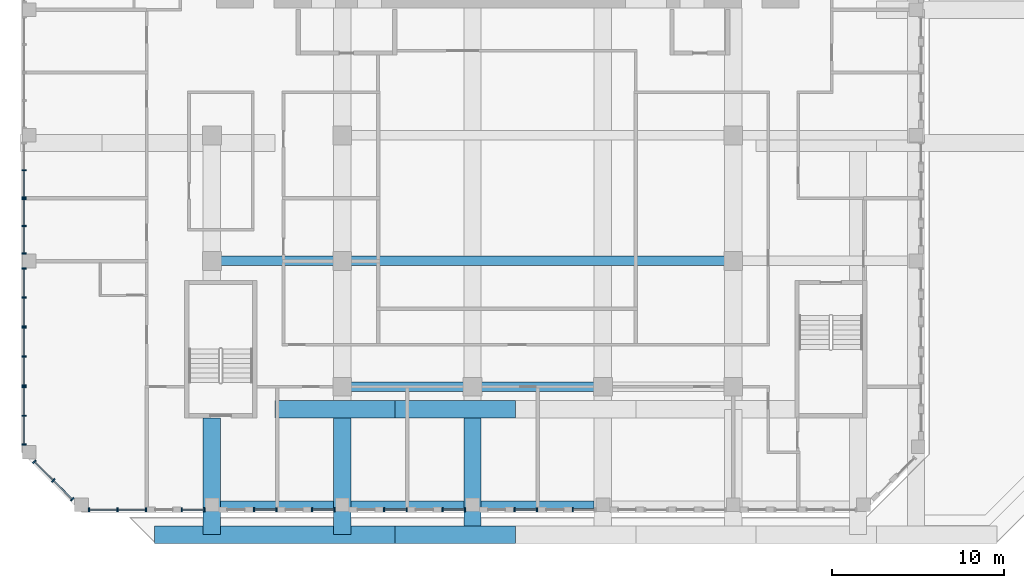
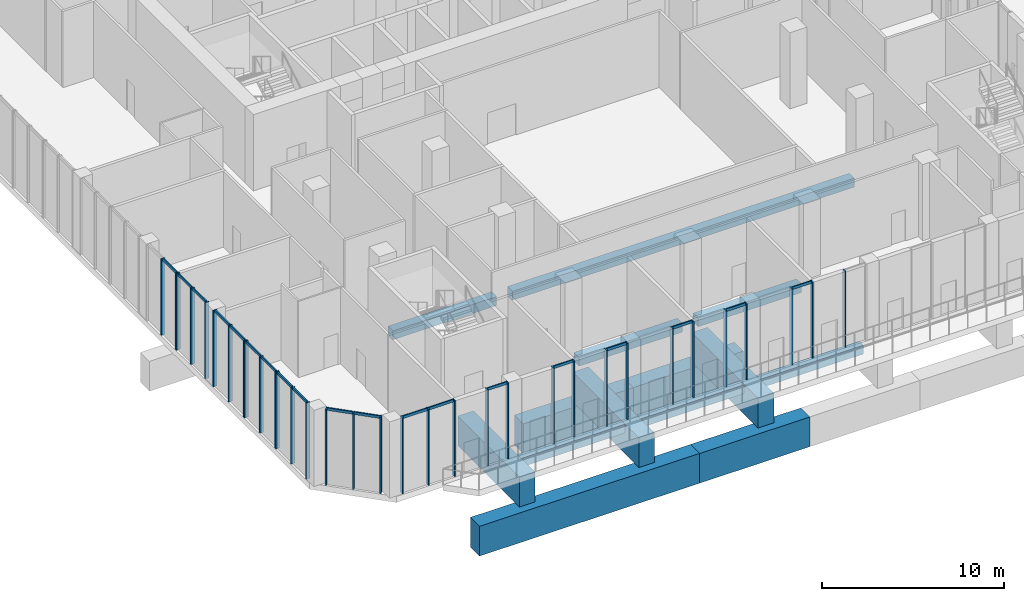
# One storey, part 2 of 19: 52 members, 14 beams, 14 elements without a shape of their own.
"""IFC4 building model written with IfcOpenShell, lengths in metres."""

from ifc_helpers import new_model, si_unit, direction, frame, origin, origin_2d, place, context, subcontext, project, spatial, rectangle, extrude, source, transform, mapped, material, material_profile, profile_set, type_object, element, aggregate, save


model = new_model("IFC4")

# Units and contexts
model_context = context("Model", 3, precision=1e-05, world=origin(), true_north=direction((0.0, 1.0)))
body_context = subcontext(model_context, "Body", "Model", "MODEL_VIEW")
ifc_project = project(units=[si_unit("LENGTHUNIT", "METRE"), si_unit("AREAUNIT", "SQUARE_METRE"), si_unit("VOLUMEUNIT", "CUBIC_METRE"), si_unit("PLANEANGLEUNIT", "RADIAN"), si_unit("MASSUNIT", "GRAM", prefix="KILO")], contexts=[model_context])

# Site, building, storey
site_placement = place(None, origin())
site = spatial("IfcSite", under=ifc_project, at=site_placement, CompositionType="ELEMENT")
building_placement = place(site_placement, origin())
building = spatial("IfcBuilding", under=site, at=building_placement, Name="Kilnfold Tower and Market Hall", CompositionType="ELEMENT")
storey_placement = place(building_placement, frame((0.0, 0.0, 138.5)))
storey = spatial("IfcBuildingStorey", under=building, at=storey_placement, Name="L31", CompositionType="ELEMENT", Elevation=138.5)

# Beams
ifc_material_1 = material(Name="Concrete C60", Category="concrete")
ifc_material_profile_1 = material_profile(ifc_material_1, rectangle(XDim=1.0, YDim=2.0, at=origin_2d()), Name="RC 1000x2000")
ifc_profile_set_1 = profile_set([ifc_material_profile_1], Name="Concrete C60")
beam_type_1 = type_object("IfcBeamType", Name="TRANSFER GIRDER 1000X2000 C60", PredefinedType="BEAM", material=ifc_profile_set_1)
shared_shape_1 = source(origin(), body_context, "Body", "SweptSolid", [
    extrude(rectangle(XDim=1.0, YDim=2.0, at=origin_2d()), origin(), (0.0, 0.0, 1.0), 14.0),
])
beam_1_placement = place(storey_placement, frame((-19.5, -22.550048828125, -3.39990234375), z_axis=(1.0, 0.0, 0.0), x_axis=(0.0, 1.0, 0.0)))
element("IfcBeam", 1, at=beam_1_placement, inside=storey, type_object=beam_type_1, Name="Beam TG2000-B4.4", PredefinedType="BEAM", context=body_context, shape_type="MappedRepresentation", body=[
    mapped(shared_shape_1, transform((0.0, 0.0, 0.0))),
])
shared_shape_2 = source(origin(), body_context, "Body", "SweptSolid", [
    extrude(rectangle(XDim=1.0, YDim=2.0, at=origin_2d()), origin(), (0.0, 0.0, 1.0), 7.0),
])
for number, where, z_axis, x_axis, name in (
    (2, (-12.5, -15.25, -3.39990234375), (1.0, 0.0, 0.0), (0.0, 1.0, 0.0), "Beam TG2000-B4.6"),
    (3, (-5.5, -22.550048828125, -3.39990234375), (1.0, 0.0, 0.0), (0.0, 1.0, 0.0), "Beam TG2000-B4.8"),
    (4, (-5.5, -15.25, -3.39990234375), (1.0, 0.0, 0.0), (0.0, 1.0, 0.0), "Beam TG2000-B4.9"),
):
    element("IfcBeam", number, at=place(storey_placement, frame(where, z_axis=z_axis, x_axis=x_axis)), inside=storey, type_object=beam_type_1, Name=name, PredefinedType="BEAM", context=body_context, shape_type="MappedRepresentation", body=[
        mapped(shared_shape_2, transform((0.0, 0.0, 0.0))),
    ])
shared_shape_3 = source(origin(), body_context, "Body", "SweptSolid", [
    extrude(rectangle(XDim=1.0, YDim=2.0, at=origin_2d()), origin(), (0.0, 0.0, 1.0), 6.800048828125),
])
beam_2_placement = place(storey_placement, frame((-16.169921875, -22.550048828125, -1.39990234375), z_axis=(0.0, 1.0, 0.0), x_axis=(-1.0, 0.0, 0.0)))
element("IfcBeam", 5, at=beam_2_placement, inside=storey, type_object=beam_type_1, Name="Beam TG2000-B4.28", PredefinedType="BEAM", context=body_context, shape_type="MappedRepresentation", body=[
    mapped(shared_shape_3, transform((0.0, 0.0, 0.0))),
])
shared_shape_4 = source(origin(), body_context, "Body", "SweptSolid", [
    extrude(rectangle(XDim=1.0, YDim=2.0, at=origin_2d()), origin(), (0.0, 0.0, 1.0), 7.300048828125),
])
for number, where, z_axis, x_axis, name in (
    (6, (-8.580078125, -22.550048828125, -1.39990234375), (0.0, 1.0, 0.0), (-1.0, 0.0, 0.0), "Beam TG2000-B4.31"),
    (7, (-1.0, -22.550048828125, -1.39990234375), (0.0, 1.0, 0.0), (-1.0, 0.0, 0.0), "Beam TG2000-B4.35"),
):
    element("IfcBeam", number, at=place(storey_placement, frame(where, z_axis=z_axis, x_axis=x_axis)), inside=storey, type_object=beam_type_1, Name=name, PredefinedType="BEAM", context=body_context, shape_type="MappedRepresentation", body=[
        mapped(shared_shape_4, transform((0.0, 0.0, 0.0))),
    ])
ifc_material_2 = material(Name="Concrete C45", Category="concrete")
ifc_material_profile_2 = material_profile(ifc_material_2, rectangle(XDim=0.449951171875, YDim=0.60009765625, at=origin_2d()), Name="RC 450x600")
ifc_profile_set_2 = profile_set([ifc_material_profile_2], Name="Concrete C45")
beam_type_2 = type_object("IfcBeamType", Name="EDGE BEAM 450X600 C45", PredefinedType="BEAM", material=ifc_profile_set_2)
shared_shape_5 = source(origin(), body_context, "Body", "SweptSolid", [
    extrude(rectangle(XDim=0.449951171875, YDim=0.60009765625, at=origin_2d()), origin(), (0.0, 0.0, 1.0), 6.58984375),
])
beam_3_placement = place(storey_placement, frame((-15.669921875, -20.800048828125, -0.699951171875), z_axis=(1.0, 0.0, 0.0), x_axis=(0.0, 1.0, 0.0)))
element("IfcBeam", 8, at=beam_3_placement, inside=storey, type_object=beam_type_2, Name="Beam EB600-B4.54", PredefinedType="BEAM", context=body_context, shape_type="MappedRepresentation", body=[
    mapped(shared_shape_5, transform((0.0, 0.0, 0.0))),
])
shared_shape_6 = source(origin(), body_context, "Body", "SweptSolid", [
    extrude(rectangle(XDim=0.449951171875, YDim=0.60009765625, at=origin_2d()), origin(), (0.0, 0.0, 1.0), 6.580078125),
])
for number, where, z_axis, x_axis, name in (
    (9, (-8.080078125, -20.800048828125, -0.699951171875), (1.0, 0.0, 0.0), (0.0, 1.0, 0.0), "Beam EB600-B4.55"),
    (10, (-0.5, -20.800048828125, -0.699951171875), (1.0, 0.0, 0.0), (0.0, 1.0, 0.0), "Beam EB600-B4.56"),
):
    element("IfcBeam", number, at=place(storey_placement, frame(where, z_axis=z_axis, x_axis=x_axis)), inside=storey, type_object=beam_type_2, Name=name, PredefinedType="BEAM", context=body_context, shape_type="MappedRepresentation", body=[
        mapped(shared_shape_6, transform((0.0, 0.0, 0.0))),
    ])
ifc_material_3 = material(Name="Concrete C45", Category="concrete")
ifc_material_profile_3 = material_profile(ifc_material_3, rectangle(XDim=0.550048828125, YDim=0.60009765625, at=origin_2d()), Name="RC 550x600")
ifc_profile_set_3 = profile_set([ifc_material_profile_3], Name="Concrete C45")
beam_type_3 = type_object("IfcBeamType", Name="BEAM 550X600 C45", PredefinedType="BEAM", material=ifc_profile_set_3)
shared_shape_7 = source(origin(), body_context, "Body", "SweptSolid", [
    extrude(rectangle(XDim=0.550048828125, YDim=0.60009765625, at=origin_2d()), origin(), (0.0, 0.0, 1.0), 6.580078125),
])
for number, where, z_axis, x_axis, name in (
    (11, (-8.080078125, -13.93994140625, -0.699951171875), (1.0, 0.0, 0.0), (0.0, 1.0, 0.0), "Beam BB600-B4.59"),
    (12, (-0.5, -13.93994140625, -0.699951171875), (1.0, 0.0, 0.0), (0.0, 1.0, 0.0), "Beam BB600-B4.60"),
):
    element("IfcBeam", number, at=place(storey_placement, frame(where, z_axis=z_axis, x_axis=x_axis)), inside=storey, type_object=beam_type_3, Name=name, PredefinedType="BEAM", context=body_context, shape_type="MappedRepresentation", body=[
        mapped(shared_shape_7, transform((0.0, 0.0, 0.0))),
    ])
shared_shape_8 = source(origin(), body_context, "Body", "SweptSolid", [
    extrude(rectangle(XDim=0.550048828125, YDim=0.60009765625, at=origin_2d()), origin(), (0.0, 0.0, 1.0), 6.58984375),
])
beam_4_placement = place(storey_placement, frame((-15.669921875, -6.6201171875, -0.699951171875), z_axis=(1.0, 0.0, 0.0), x_axis=(0.0, 1.0, 0.0)))
element("IfcBeam", 13, at=beam_4_placement, inside=storey, type_object=beam_type_3, Name="Beam BB600-B4.62", PredefinedType="BEAM", context=body_context, shape_type="MappedRepresentation", body=[
    mapped(shared_shape_8, transform((0.0, 0.0, 0.0))),
])
shared_shape_9 = source(origin(), body_context, "Body", "SweptSolid", [
    extrude(rectangle(XDim=0.550048828125, YDim=0.60009765625, at=origin_2d()), origin(), (0.0, 0.0, 1.0), 21.75),
])
beam_5_placement = place(storey_placement, frame((-8.080078125, -6.6201171875, -0.699951171875), z_axis=(1.0, 0.0, 0.0), x_axis=(0.0, 1.0, 0.0)))
element("IfcBeam", 14, at=beam_5_placement, inside=storey, type_object=beam_type_3, Name="Beam BB600-B4.63", PredefinedType="BEAM", context=body_context, shape_type="MappedRepresentation", body=[
    mapped(shared_shape_9, transform((0.0, 0.0, 0.0))),
])

# Curtain wall, members
ifc_material_4 = material(Name="Aluminium and double glazing", Category="aluminium")
curtain_wall_type = type_object("IfcCurtainWallType", Name="CW SKY LOBBY GLAZING", PredefinedType="NOTDEFINED", material=ifc_material_4)
curtain_wall_1_placement = place(storey_placement, origin())
curtain_wall_1 = element("IfcCurtainWall", 15, at=curtain_wall_1_placement, inside=storey, type_object=curtain_wall_type, Name="Curtain wall CW3 L31 S", PredefinedType="NOTDEFINED")
ifc_material_5 = material(Name="Aluminium", Category="aluminium")
ifc_material_profile_4 = material_profile(ifc_material_5, rectangle(XDim=0.080078125, YDim=0.25, at=origin_2d()), Name="MULLION 80x250")
ifc_profile_set_4 = profile_set([ifc_material_profile_4], Name="Aluminium")
member_type_1 = type_object("IfcMemberType", Name="MULLION 80X250", PredefinedType="MULLION", material=ifc_profile_set_4)
shared_shape_10 = source(origin(), body_context, "Body", "SweptSolid", [
    extrude(rectangle(XDim=0.080078125, YDim=0.25, at=origin_2d()), origin(), (0.0, 0.0, 1.0), 5.1201171875),
])
member_1_placement = place(storey_placement, frame((-23.31005859375, -21.10009765625, 0.0), z_axis=(0.0, 0.0, 1.0), x_axis=(1.0, 0.0, 0.0)))
member_1 = element("IfcMember", 16, at=member_1_placement, type_object=member_type_1, Name="CW3 mullion 1", PredefinedType="MULLION", context=body_context, shape_type="MappedRepresentation", body=[
    mapped(shared_shape_10, transform((0.0, 0.0, 0.0))),
])
member_2_placement = place(storey_placement, frame((-21.654296875, -21.10009765625, 0.0), z_axis=(0.0, 0.0, 1.0), x_axis=(1.0, 0.0, 0.0)))
member_2 = element("IfcMember", 17, at=member_2_placement, type_object=member_type_1, Name="CW3 mullion 2", PredefinedType="MULLION", context=body_context, shape_type="MappedRepresentation", body=[
    mapped(shared_shape_10, transform((0.0, 0.0, 0.0))),
])
member_3_placement = place(storey_placement, frame((-19.998291015625, -21.10009765625, 0.0), z_axis=(0.0, 0.0, 1.0), x_axis=(1.0, 0.0, 0.0)))
member_3 = element("IfcMember", 18, at=member_3_placement, type_object=member_type_1, Name="CW3 mullion 3", PredefinedType="MULLION", context=body_context, shape_type="MappedRepresentation", body=[
    mapped(shared_shape_10, transform((0.0, 0.0, 0.0))),
])

curtain_wall_2_placement = place(storey_placement, origin())
curtain_wall_2 = element("IfcCurtainWall", 19, at=curtain_wall_2_placement, inside=storey, type_object=curtain_wall_type, Name="Curtain wall CW3 L31 S", PredefinedType="NOTDEFINED")
member_4_placement = place(storey_placement, frame((-17.91845703125, -21.10009765625, 0.0), z_axis=(0.0, 0.0, 1.0), x_axis=(1.0, 0.0, 0.0)))
member_4 = element("IfcMember", 20, at=member_4_placement, type_object=member_type_1, Name="CW3 mullion 1", PredefinedType="MULLION", context=body_context, shape_type="MappedRepresentation", body=[
    mapped(shared_shape_10, transform((0.0, 0.0, 0.0))),
])
member_5_placement = place(storey_placement, frame((-16.606689453125, -21.10009765625, 0.0), z_axis=(0.0, 0.0, 1.0), x_axis=(1.0, 0.0, 0.0)))
member_5 = element("IfcMember", 21, at=member_5_placement, type_object=member_type_1, Name="CW3 mullion 2", PredefinedType="MULLION", context=body_context, shape_type="MappedRepresentation", body=[
    mapped(shared_shape_10, transform((0.0, 0.0, 0.0))),
])

curtain_wall_3_placement = place(storey_placement, origin())
curtain_wall_3 = element("IfcCurtainWall", 22, at=curtain_wall_3_placement, inside=storey, type_object=curtain_wall_type, Name="Curtain wall CW3 L31 S", PredefinedType="NOTDEFINED")
member_6_placement = place(storey_placement, frame((-13.726806640625, -21.10009765625, 0.0), z_axis=(0.0, 0.0, 1.0), x_axis=(1.0, 0.0, 0.0)))
member_6 = element("IfcMember", 23, at=member_6_placement, type_object=member_type_1, Name="CW3 mullion 1", PredefinedType="MULLION", context=body_context, shape_type="MappedRepresentation", body=[
    mapped(shared_shape_10, transform((0.0, 0.0, 0.0))),
])
member_7_placement = place(storey_placement, frame((-12.4150390625, -21.10009765625, 0.0), z_axis=(0.0, 0.0, 1.0), x_axis=(1.0, 0.0, 0.0)))
member_7 = element("IfcMember", 24, at=member_7_placement, type_object=member_type_1, Name="CW3 mullion 2", PredefinedType="MULLION", context=body_context, shape_type="MappedRepresentation", body=[
    mapped(shared_shape_10, transform((0.0, 0.0, 0.0))),
])

curtain_wall_4_placement = place(storey_placement, origin())
curtain_wall_4 = element("IfcCurtainWall", 25, at=curtain_wall_4_placement, inside=storey, type_object=curtain_wall_type, Name="Curtain wall CW3 L31 S", PredefinedType="NOTDEFINED")
member_8_placement = place(storey_placement, frame((-10.3349609375, -21.10009765625, 0.0), z_axis=(0.0, 0.0, 1.0), x_axis=(1.0, 0.0, 0.0)))
member_8 = element("IfcMember", 26, at=member_8_placement, type_object=member_type_1, Name="CW3 mullion 1", PredefinedType="MULLION", context=body_context, shape_type="MappedRepresentation", body=[
    mapped(shared_shape_10, transform((0.0, 0.0, 0.0))),
])
member_9_placement = place(storey_placement, frame((-9.023193359375, -21.10009765625, 0.0), z_axis=(0.0, 0.0, 1.0), x_axis=(1.0, 0.0, 0.0)))
member_9 = element("IfcMember", 27, at=member_9_placement, type_object=member_type_1, Name="CW3 mullion 2", PredefinedType="MULLION", context=body_context, shape_type="MappedRepresentation", body=[
    mapped(shared_shape_10, transform((0.0, 0.0, 0.0))),
])

curtain_wall_5_placement = place(storey_placement, origin())
curtain_wall_5 = element("IfcCurtainWall", 28, at=curtain_wall_5_placement, inside=storey, type_object=curtain_wall_type, Name="Curtain wall CW3 L31 S", PredefinedType="NOTDEFINED")
member_10_placement = place(storey_placement, frame((-6.143310546875, -21.10009765625, 0.0), z_axis=(0.0, 0.0, 1.0), x_axis=(1.0, 0.0, 0.0)))
member_10 = element("IfcMember", 29, at=member_10_placement, type_object=member_type_1, Name="CW3 mullion 1", PredefinedType="MULLION", context=body_context, shape_type="MappedRepresentation", body=[
    mapped(shared_shape_10, transform((0.0, 0.0, 0.0))),
])
member_11_placement = place(storey_placement, frame((-4.83154296875, -21.10009765625, 0.0), z_axis=(0.0, 0.0, 1.0), x_axis=(1.0, 0.0, 0.0)))
member_11 = element("IfcMember", 30, at=member_11_placement, type_object=member_type_1, Name="CW3 mullion 2", PredefinedType="MULLION", context=body_context, shape_type="MappedRepresentation", body=[
    mapped(shared_shape_10, transform((0.0, 0.0, 0.0))),
])

curtain_wall_6_placement = place(storey_placement, origin())
curtain_wall_6 = element("IfcCurtainWall", 31, at=curtain_wall_6_placement, inside=storey, type_object=curtain_wall_type, Name="Curtain wall CW3 L31 S", PredefinedType="NOTDEFINED")
member_12_placement = place(storey_placement, frame((-2.751708984375, -21.10009765625, 0.0), z_axis=(0.0, 0.0, 1.0), x_axis=(1.0, 0.0, 0.0)))
member_12 = element("IfcMember", 32, at=member_12_placement, type_object=member_type_1, Name="CW3 mullion 1", PredefinedType="MULLION", context=body_context, shape_type="MappedRepresentation", body=[
    mapped(shared_shape_10, transform((0.0, 0.0, 0.0))),
])
member_13_placement = place(storey_placement, frame((-1.43994140625, -21.10009765625, 0.0), z_axis=(0.0, 0.0, 1.0), x_axis=(1.0, 0.0, 0.0)))
member_13 = element("IfcMember", 33, at=member_13_placement, type_object=member_type_1, Name="CW3 mullion 2", PredefinedType="MULLION", context=body_context, shape_type="MappedRepresentation", body=[
    mapped(shared_shape_10, transform((0.0, 0.0, 0.0))),
])

curtain_wall_7_placement = place(storey_placement, origin())
curtain_wall_7 = element("IfcCurtainWall", 34, at=curtain_wall_7_placement, inside=storey, type_object=curtain_wall_type, Name="Curtain wall CW3 L31 S", PredefinedType="NOTDEFINED")
member_14_placement = place(storey_placement, frame((1.43994140625, -21.10009765625, 0.0), z_axis=(0.0, 0.0, 1.0), x_axis=(1.0, 0.0, 0.0)))
member_14 = element("IfcMember", 35, at=member_14_placement, type_object=member_type_1, Name="CW3 mullion 1", PredefinedType="MULLION", context=body_context, shape_type="MappedRepresentation", body=[
    mapped(shared_shape_10, transform((0.0, 0.0, 0.0))),
])
member_15_placement = place(storey_placement, frame((2.751708984375, -21.10009765625, 0.0), z_axis=(0.0, 0.0, 1.0), x_axis=(1.0, 0.0, 0.0)))
member_15 = element("IfcMember", 36, at=member_15_placement, type_object=member_type_1, Name="CW3 mullion 2", PredefinedType="MULLION", context=body_context, shape_type="MappedRepresentation", body=[
    mapped(shared_shape_10, transform((0.0, 0.0, 0.0))),
])

# Curtain wall, member
curtain_wall_8_placement = place(storey_placement, origin())
curtain_wall_8 = element("IfcCurtainWall", 37, at=curtain_wall_8_placement, inside=storey, type_object=curtain_wall_type, Name="Curtain wall CW3 L31 S", PredefinedType="NOTDEFINED")
member_16_placement = place(storey_placement, frame((4.83154296875, -21.10009765625, 0.0), z_axis=(0.0, 0.0, 1.0), x_axis=(1.0, 0.0, 0.0)))
member_16 = element("IfcMember", 38, at=member_16_placement, type_object=member_type_1, Name="CW3 mullion 1", PredefinedType="MULLION", context=body_context, shape_type="MappedRepresentation", body=[
    mapped(shared_shape_10, transform((0.0, 0.0, 0.0))),
])
aggregate(curtain_wall_8, [member_16])

# Curtain wall, members
curtain_wall_9_placement = place(storey_placement, origin())
curtain_wall_9 = element("IfcCurtainWall", 39, at=curtain_wall_9_placement, inside=storey, type_object=curtain_wall_type, Name="Curtain wall CW3 L31 W", PredefinedType="NOTDEFINED")
member_17_placement = place(storey_placement, frame((-27.10009765625, -1.340576171875, 0.0), z_axis=(0.0, 0.0, 1.0), x_axis=(0.0, -1.0, 0.0)))
member_17 = element("IfcMember", 40, at=member_17_placement, type_object=member_type_1, Name="CW3 mullion 2", PredefinedType="MULLION", context=body_context, shape_type="MappedRepresentation", body=[
    mapped(shared_shape_10, transform((0.0, 0.0, 0.0))),
])
member_18_placement = place(storey_placement, frame((-27.10009765625, -2.9287109375, 0.0), z_axis=(0.0, 0.0, 1.0), x_axis=(0.0, -1.0, 0.0)))
member_18 = element("IfcMember", 41, at=member_18_placement, type_object=member_type_1, Name="CW3 mullion 3", PredefinedType="MULLION", context=body_context, shape_type="MappedRepresentation", body=[
    mapped(shared_shape_10, transform((0.0, 0.0, 0.0))),
])

curtain_wall_10_placement = place(storey_placement, origin())
curtain_wall_10 = element("IfcCurtainWall", 42, at=curtain_wall_10_placement, inside=storey, type_object=curtain_wall_type, Name="Curtain wall CW3 L31 W", PredefinedType="NOTDEFINED")
member_19_placement = place(storey_placement, frame((-27.10009765625, -3.0087890625, 0.0), z_axis=(0.0, 0.0, 1.0), x_axis=(0.0, -1.0, 0.0)))
member_19 = element("IfcMember", 43, at=member_19_placement, type_object=member_type_1, Name="CW3 mullion 1", PredefinedType="MULLION", context=body_context, shape_type="MappedRepresentation", body=[
    mapped(shared_shape_10, transform((0.0, 0.0, 0.0))),
])
member_20_placement = place(storey_placement, frame((-27.10009765625, -4.596923828125, 0.0), z_axis=(0.0, 0.0, 1.0), x_axis=(0.0, -1.0, 0.0)))
member_20 = element("IfcMember", 44, at=member_20_placement, type_object=member_type_1, Name="CW3 mullion 2", PredefinedType="MULLION", context=body_context, shape_type="MappedRepresentation", body=[
    mapped(shared_shape_10, transform((0.0, 0.0, 0.0))),
])
member_21_placement = place(storey_placement, frame((-27.10009765625, -6.18505859375, 0.0), z_axis=(0.0, 0.0, 1.0), x_axis=(0.0, -1.0, 0.0)))
member_21 = element("IfcMember", 45, at=member_21_placement, type_object=member_type_1, Name="CW3 mullion 3", PredefinedType="MULLION", context=body_context, shape_type="MappedRepresentation", body=[
    mapped(shared_shape_10, transform((0.0, 0.0, 0.0))),
])

curtain_wall_11_placement = place(storey_placement, origin())
curtain_wall_11 = element("IfcCurtainWall", 46, at=curtain_wall_11_placement, inside=storey, type_object=curtain_wall_type, Name="Curtain wall CW3 L31 W", PredefinedType="NOTDEFINED")
member_22_placement = place(storey_placement, frame((-27.10009765625, -7.06494140625, 0.0), z_axis=(0.0, 0.0, 1.0), x_axis=(0.0, -1.0, 0.0)))
member_22 = element("IfcMember", 47, at=member_22_placement, type_object=member_type_1, Name="CW3 mullion 1", PredefinedType="MULLION", context=body_context, shape_type="MappedRepresentation", body=[
    mapped(shared_shape_10, transform((0.0, 0.0, 0.0))),
])
member_23_placement = place(storey_placement, frame((-27.10009765625, -8.745849609375, 0.0), z_axis=(0.0, 0.0, 1.0), x_axis=(0.0, -1.0, 0.0)))
member_23 = element("IfcMember", 48, at=member_23_placement, type_object=member_type_1, Name="CW3 mullion 2", PredefinedType="MULLION", context=body_context, shape_type="MappedRepresentation", body=[
    mapped(shared_shape_10, transform((0.0, 0.0, 0.0))),
])
member_24_placement = place(storey_placement, frame((-27.10009765625, -10.4267578125, 0.0), z_axis=(0.0, 0.0, 1.0), x_axis=(0.0, -1.0, 0.0)))
member_24 = element("IfcMember", 49, at=member_24_placement, type_object=member_type_1, Name="CW3 mullion 3", PredefinedType="MULLION", context=body_context, shape_type="MappedRepresentation", body=[
    mapped(shared_shape_10, transform((0.0, 0.0, 0.0))),
])

curtain_wall_12_placement = place(storey_placement, origin())
curtain_wall_12 = element("IfcCurtainWall", 50, at=curtain_wall_12_placement, inside=storey, type_object=curtain_wall_type, Name="Curtain wall CW3 L31 W", PredefinedType="NOTDEFINED")
member_25_placement = place(storey_placement, frame((-27.10009765625, -10.506591796875, 0.0), z_axis=(0.0, 0.0, 1.0), x_axis=(0.0, -1.0, 0.0)))
member_25 = element("IfcMember", 51, at=member_25_placement, type_object=member_type_1, Name="CW3 mullion 1", PredefinedType="MULLION", context=body_context, shape_type="MappedRepresentation", body=[
    mapped(shared_shape_10, transform((0.0, 0.0, 0.0))),
])
member_26_placement = place(storey_placement, frame((-27.10009765625, -12.1875, 0.0), z_axis=(0.0, 0.0, 1.0), x_axis=(0.0, -1.0, 0.0)))
member_26 = element("IfcMember", 52, at=member_26_placement, type_object=member_type_1, Name="CW3 mullion 2", PredefinedType="MULLION", context=body_context, shape_type="MappedRepresentation", body=[
    mapped(shared_shape_10, transform((0.0, 0.0, 0.0))),
])
member_27_placement = place(storey_placement, frame((-27.10009765625, -13.868408203125, 0.0), z_axis=(0.0, 0.0, 1.0), x_axis=(0.0, -1.0, 0.0)))
member_27 = element("IfcMember", 53, at=member_27_placement, type_object=member_type_1, Name="CW3 mullion 3", PredefinedType="MULLION", context=body_context, shape_type="MappedRepresentation", body=[
    mapped(shared_shape_10, transform((0.0, 0.0, 0.0))),
])

curtain_wall_13_placement = place(storey_placement, origin())
curtain_wall_13 = element("IfcCurtainWall", 54, at=curtain_wall_13_placement, inside=storey, type_object=curtain_wall_type, Name="Curtain wall CW3 L31 W", PredefinedType="NOTDEFINED")
member_28_placement = place(storey_placement, frame((-27.10009765625, -13.9482421875, 0.0), z_axis=(0.0, 0.0, 1.0), x_axis=(0.0, -1.0, 0.0)))
member_28 = element("IfcMember", 55, at=member_28_placement, type_object=member_type_1, Name="CW3 mullion 1", PredefinedType="MULLION", context=body_context, shape_type="MappedRepresentation", body=[
    mapped(shared_shape_10, transform((0.0, 0.0, 0.0))),
])
member_29_placement = place(storey_placement, frame((-27.10009765625, -15.629150390625, 0.0), z_axis=(0.0, 0.0, 1.0), x_axis=(0.0, -1.0, 0.0)))
member_29 = element("IfcMember", 56, at=member_29_placement, type_object=member_type_1, Name="CW3 mullion 2", PredefinedType="MULLION", context=body_context, shape_type="MappedRepresentation", body=[
    mapped(shared_shape_10, transform((0.0, 0.0, 0.0))),
])
member_30_placement = place(storey_placement, frame((-27.10009765625, -17.31005859375, 0.0), z_axis=(0.0, 0.0, 1.0), x_axis=(0.0, -1.0, 0.0)))
member_30 = element("IfcMember", 57, at=member_30_placement, type_object=member_type_1, Name="CW3 mullion 3", PredefinedType="MULLION", context=body_context, shape_type="MappedRepresentation", body=[
    mapped(shared_shape_10, transform((0.0, 0.0, 0.0))),
])

curtain_wall_14_placement = place(storey_placement, origin())
curtain_wall_14 = element("IfcCurtainWall", 58, at=curtain_wall_14_placement, inside=storey, type_object=curtain_wall_type, Name="Curtain wall CW3 L31 SW", PredefinedType="NOTDEFINED")
member_31_placement = place(storey_placement, frame((-26.49072265625, -18.297119140625, 0.0), z_axis=(0.0, 0.0, 1.0), x_axis=(0.70709106788, -0.707122494144, 0.0)))
member_31 = element("IfcMember", 59, at=member_31_placement, type_object=member_type_1, Name="CW3 mullion 1", PredefinedType="MULLION", context=body_context, shape_type="MappedRepresentation", body=[
    mapped(shared_shape_10, transform((0.0, 0.0, 0.0))),
])
member_32_placement = place(storey_placement, frame((-25.393798828125, -19.39404296875, 0.0), z_axis=(0.0, 0.0, 1.0), x_axis=(0.70709106788, -0.707122494144, 0.0)))
member_32 = element("IfcMember", 60, at=member_32_placement, type_object=member_type_1, Name="CW3 mullion 2", PredefinedType="MULLION", context=body_context, shape_type="MappedRepresentation", body=[
    mapped(shared_shape_10, transform((0.0, 0.0, 0.0))),
])
member_33_placement = place(storey_placement, frame((-24.297119140625, -20.49072265625, 0.0), z_axis=(0.0, 0.0, 1.0), x_axis=(0.70709106788, -0.707122494144, 0.0)))
member_33 = element("IfcMember", 61, at=member_33_placement, type_object=member_type_1, Name="CW3 mullion 3", PredefinedType="MULLION", context=body_context, shape_type="MappedRepresentation", body=[
    mapped(shared_shape_10, transform((0.0, 0.0, 0.0))),
])

# Member
ifc_material_6 = material(Name="Aluminium", Category="aluminium")
ifc_material_profile_5 = material_profile(ifc_material_6, rectangle(XDim=0.080078125, YDim=0.179931640625, at=origin_2d()), Name="TRANSOM 80x180")
ifc_profile_set_5 = profile_set([ifc_material_profile_5], Name="Aluminium")
member_type_2 = type_object("IfcMemberType", Name="TRANSOM 80X180", PredefinedType="USERDEFINED", material=ifc_profile_set_5)
shared_shape_11 = source(origin(), body_context, "Body", "SweptSolid", [
    extrude(rectangle(XDim=0.080078125, YDim=0.179931640625, at=origin_2d()), origin(), (0.0, 0.0, 1.0), 1.575927734375),
])
member_34_placement = place(storey_placement, frame((-23.27001953125, -21.10009765625, 5.080078125), z_axis=(1.0, 0.0, 0.0), x_axis=(0.0, 1.0, 0.0)))
member_34 = element("IfcMember", 62, at=member_34_placement, type_object=member_type_2, Name="CW3 transom 1.2", ObjectType="TRANSOM", PredefinedType="USERDEFINED", context=body_context, shape_type="MappedRepresentation", body=[
    mapped(shared_shape_11, transform((0.0, 0.0, 0.0))),
])

member_35_placement = place(storey_placement, frame((-21.6142578125, -21.10009765625, 5.080078125), z_axis=(1.0, 0.0, 0.0), x_axis=(0.0, 1.0, 0.0)))
member_35 = element("IfcMember", 63, at=member_35_placement, type_object=member_type_2, Name="CW3 transom 2.2", ObjectType="TRANSOM", PredefinedType="USERDEFINED", context=body_context, shape_type="MappedRepresentation", body=[
    mapped(shared_shape_11, transform((0.0, 0.0, 0.0))),
])

aggregate(curtain_wall_1, [member_1, member_2, member_3, member_34, member_35])

shared_shape_12 = source(origin(), body_context, "Body", "SweptSolid", [
    extrude(rectangle(XDim=0.080078125, YDim=0.179931640625, at=origin_2d()), origin(), (0.0, 0.0, 1.0), 1.231689453125),
])
member_36_placement = place(storey_placement, frame((-17.87841796875, -21.10009765625, 5.080078125), z_axis=(1.0, 0.0, 0.0), x_axis=(0.0, 1.0, 0.0)))
member_36 = element("IfcMember", 64, at=member_36_placement, type_object=member_type_2, Name="CW3 transom 1.2", ObjectType="TRANSOM", PredefinedType="USERDEFINED", context=body_context, shape_type="MappedRepresentation", body=[
    mapped(shared_shape_12, transform((0.0, 0.0, 0.0))),
])

aggregate(curtain_wall_2, [member_4, member_5, member_36])

member_37_placement = place(storey_placement, frame((-13.686767578125, -21.10009765625, 5.080078125), z_axis=(1.0, 0.0, 0.0), x_axis=(0.0, 1.0, 0.0)))
member_37 = element("IfcMember", 65, at=member_37_placement, type_object=member_type_2, Name="CW3 transom 1.2", ObjectType="TRANSOM", PredefinedType="USERDEFINED", context=body_context, shape_type="MappedRepresentation", body=[
    mapped(shared_shape_12, transform((0.0, 0.0, 0.0))),
])

aggregate(curtain_wall_3, [member_6, member_7, member_37])

member_38_placement = place(storey_placement, frame((-10.294921875, -21.10009765625, 5.080078125), z_axis=(1.0, 0.0, 0.0), x_axis=(0.0, 1.0, 0.0)))
member_38 = element("IfcMember", 66, at=member_38_placement, type_object=member_type_2, Name="CW3 transom 1.2", ObjectType="TRANSOM", PredefinedType="USERDEFINED", context=body_context, shape_type="MappedRepresentation", body=[
    mapped(shared_shape_12, transform((0.0, 0.0, 0.0))),
])

aggregate(curtain_wall_4, [member_8, member_9, member_38])

member_39_placement = place(storey_placement, frame((-6.103271484375, -21.10009765625, 5.080078125), z_axis=(1.0, 0.0, 0.0), x_axis=(0.0, 1.0, 0.0)))
member_39 = element("IfcMember", 67, at=member_39_placement, type_object=member_type_2, Name="CW3 transom 1.2", ObjectType="TRANSOM", PredefinedType="USERDEFINED", context=body_context, shape_type="MappedRepresentation", body=[
    mapped(shared_shape_12, transform((0.0, 0.0, 0.0))),
])

aggregate(curtain_wall_5, [member_10, member_11, member_39])

member_40_placement = place(storey_placement, frame((-2.711669921875, -21.10009765625, 5.080078125), z_axis=(1.0, 0.0, 0.0), x_axis=(0.0, 1.0, 0.0)))
member_40 = element("IfcMember", 68, at=member_40_placement, type_object=member_type_2, Name="CW3 transom 1.2", ObjectType="TRANSOM", PredefinedType="USERDEFINED", context=body_context, shape_type="MappedRepresentation", body=[
    mapped(shared_shape_12, transform((0.0, 0.0, 0.0))),
])

aggregate(curtain_wall_6, [member_12, member_13, member_40])

member_41_placement = place(storey_placement, frame((1.47998046875, -21.10009765625, 5.080078125), z_axis=(1.0, 0.0, 0.0), x_axis=(0.0, 1.0, 0.0)))
member_41 = element("IfcMember", 69, at=member_41_placement, type_object=member_type_2, Name="CW3 transom 1.2", ObjectType="TRANSOM", PredefinedType="USERDEFINED", context=body_context, shape_type="MappedRepresentation", body=[
    mapped(shared_shape_12, transform((0.0, 0.0, 0.0))),
])

aggregate(curtain_wall_7, [member_14, member_15, member_41])

shared_shape_13 = source(origin(), body_context, "Body", "SweptSolid", [
    extrude(rectangle(XDim=0.080078125, YDim=0.179931640625, at=origin_2d()), origin(), (0.0, 0.0, 1.0), 1.508056640625),
])
member_42_placement = place(storey_placement, frame((-27.10009765625, -3.048828125, 5.080078125), z_axis=(0.0, -1.0, 0.0), x_axis=(1.0, 0.0, 0.0)))
member_42 = element("IfcMember", 70, at=member_42_placement, type_object=member_type_2, Name="CW3 transom 1.2", ObjectType="TRANSOM", PredefinedType="USERDEFINED", context=body_context, shape_type="MappedRepresentation", body=[
    mapped(shared_shape_13, transform((0.0, 0.0, 0.0))),
])

member_43_placement = place(storey_placement, frame((-27.10009765625, -4.636962890625, 5.080078125), z_axis=(0.0, -1.0, 0.0), x_axis=(1.0, 0.0, 0.0)))
member_43 = element("IfcMember", 71, at=member_43_placement, type_object=member_type_2, Name="CW3 transom 2.2", ObjectType="TRANSOM", PredefinedType="USERDEFINED", context=body_context, shape_type="MappedRepresentation", body=[
    mapped(shared_shape_13, transform((0.0, 0.0, 0.0))),
])

aggregate(curtain_wall_10, [member_19, member_20, member_21, member_42, member_43])

shared_shape_14 = source(origin(), body_context, "Body", "SweptSolid", [
    extrude(rectangle(XDim=0.080078125, YDim=0.179931640625, at=origin_2d()), origin(), (0.0, 0.0, 1.0), 1.50830078125),
])
member_44_placement = place(storey_placement, frame((-27.10009765625, -1.380615234375, 5.080078125), z_axis=(0.0, -1.0, 0.0), x_axis=(1.0, 0.0, 0.0)))
member_44 = element("IfcMember", 72, at=member_44_placement, type_object=member_type_2, Name="CW3 transom 2.2", ObjectType="TRANSOM", PredefinedType="USERDEFINED", context=body_context, shape_type="MappedRepresentation", body=[
    mapped(shared_shape_14, transform((0.0, 0.0, 0.0))),
])

aggregate(curtain_wall_9, [member_17, member_18, member_44])

shared_shape_15 = source(origin(), body_context, "Body", "SweptSolid", [
    extrude(rectangle(XDim=0.080078125, YDim=0.179931640625, at=origin_2d()), origin(), (0.0, 0.0, 1.0), 1.600830078125),
])
member_45_placement = place(storey_placement, frame((-27.10009765625, -7.10498046875, 5.080078125), z_axis=(0.0, -1.0, 0.0), x_axis=(1.0, 0.0, 0.0)))
member_45 = element("IfcMember", 73, at=member_45_placement, type_object=member_type_2, Name="CW3 transom 1.2", ObjectType="TRANSOM", PredefinedType="USERDEFINED", context=body_context, shape_type="MappedRepresentation", body=[
    mapped(shared_shape_15, transform((0.0, 0.0, 0.0))),
])

member_46_placement = place(storey_placement, frame((-27.10009765625, -8.785888671875, 5.080078125), z_axis=(0.0, -1.0, 0.0), x_axis=(1.0, 0.0, 0.0)))
member_46 = element("IfcMember", 74, at=member_46_placement, type_object=member_type_2, Name="CW3 transom 2.2", ObjectType="TRANSOM", PredefinedType="USERDEFINED", context=body_context, shape_type="MappedRepresentation", body=[
    mapped(shared_shape_15, transform((0.0, 0.0, 0.0))),
])

aggregate(curtain_wall_11, [member_22, member_23, member_24, member_45, member_46])

member_47_placement = place(storey_placement, frame((-27.10009765625, -10.546630859375, 5.080078125), z_axis=(0.0, -1.0, 0.0), x_axis=(1.0, 0.0, 0.0)))
member_47 = element("IfcMember", 75, at=member_47_placement, type_object=member_type_2, Name="CW3 transom 1.2", ObjectType="TRANSOM", PredefinedType="USERDEFINED", context=body_context, shape_type="MappedRepresentation", body=[
    mapped(shared_shape_15, transform((0.0, 0.0, 0.0))),
])

member_48_placement = place(storey_placement, frame((-27.10009765625, -12.2275390625, 5.080078125), z_axis=(0.0, -1.0, 0.0), x_axis=(1.0, 0.0, 0.0)))
member_48 = element("IfcMember", 76, at=member_48_placement, type_object=member_type_2, Name="CW3 transom 2.2", ObjectType="TRANSOM", PredefinedType="USERDEFINED", context=body_context, shape_type="MappedRepresentation", body=[
    mapped(shared_shape_15, transform((0.0, 0.0, 0.0))),
])

aggregate(curtain_wall_12, [member_25, member_26, member_27, member_47, member_48])

member_49_placement = place(storey_placement, frame((-27.10009765625, -13.98828125, 5.080078125), z_axis=(0.0, -1.0, 0.0), x_axis=(1.0, 0.0, 0.0)))
member_49 = element("IfcMember", 77, at=member_49_placement, type_object=member_type_2, Name="CW3 transom 1.2", ObjectType="TRANSOM", PredefinedType="USERDEFINED", context=body_context, shape_type="MappedRepresentation", body=[
    mapped(shared_shape_15, transform((0.0, 0.0, 0.0))),
])

member_50_placement = place(storey_placement, frame((-27.10009765625, -15.669189453125, 5.080078125), z_axis=(0.0, -1.0, 0.0), x_axis=(1.0, 0.0, 0.0)))
member_50 = element("IfcMember", 78, at=member_50_placement, type_object=member_type_2, Name="CW3 transom 2.2", ObjectType="TRANSOM", PredefinedType="USERDEFINED", context=body_context, shape_type="MappedRepresentation", body=[
    mapped(shared_shape_15, transform((0.0, 0.0, 0.0))),
])

aggregate(curtain_wall_13, [member_28, member_29, member_30, member_49, member_50])

shared_shape_16 = source(origin(), body_context, "Body", "SweptSolid", [
    extrude(rectangle(XDim=0.080078125, YDim=0.179931640625, at=origin_2d()), origin(), (0.0, 0.0, 1.0), 1.47119140625),
])
member_51_placement = place(storey_placement, frame((-26.46240234375, -18.325439453125, 5.080078125), z_axis=(0.707106781187, -0.707106781187, 0.0), x_axis=(0.707106781187, 0.707106781187, 0.0)))
member_51 = element("IfcMember", 79, at=member_51_placement, type_object=member_type_2, Name="CW3 transom 1.2", ObjectType="TRANSOM", PredefinedType="USERDEFINED", context=body_context, shape_type="MappedRepresentation", body=[
    mapped(shared_shape_16, transform((0.0, 0.0, 0.0))),
])

member_52_placement = place(storey_placement, frame((-25.36572265625, -19.422119140625, 5.080078125), z_axis=(0.707106781187, -0.707106781187, 0.0), x_axis=(0.707106781187, 0.707106781187, 0.0)))
member_52 = element("IfcMember", 80, at=member_52_placement, type_object=member_type_2, Name="CW3 transom 2.2", ObjectType="TRANSOM", PredefinedType="USERDEFINED", context=body_context, shape_type="MappedRepresentation", body=[
    mapped(shared_shape_16, transform((0.0, 0.0, 0.0))),
])

aggregate(curtain_wall_14, [member_31, member_32, member_33, member_51, member_52])

save(model, "model.ifc")
